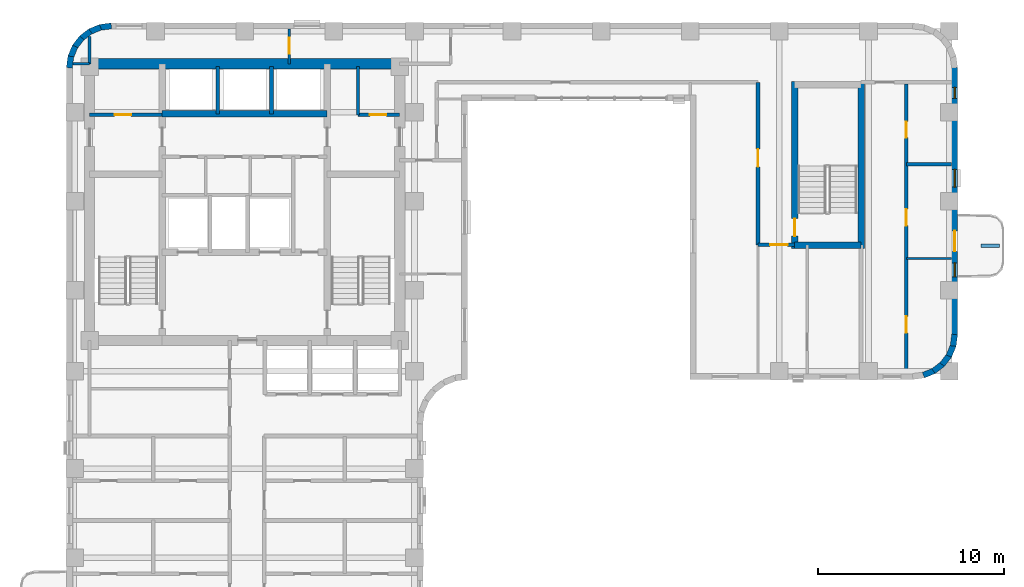
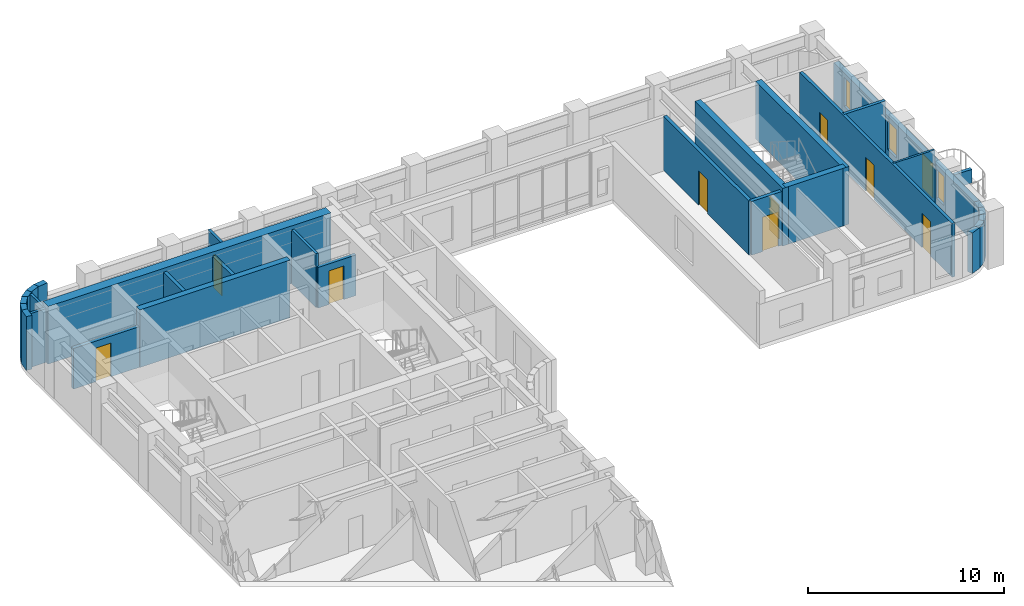
# One storey, part 7 of 11: 31 walls, 10 doors, 3 windows, 13 openings.
"""IFC4 building model written with IfcOpenShell, lengths in metres."""

from ifc_helpers import new_model, si_unit, direction, frame, frame_2d, origin, place, context, subcontext, project, spatial, rectangle, extrude, material, layer, layer_set, type_object, element, fill, save


model = new_model("IFC4")

# Units and contexts
model_context = context("Model", 3, precision=1e-05, world=origin(), true_north=direction((0.0, 1.0)))
body_context = subcontext(model_context, "Body", "Model", "MODEL_VIEW")
ifc_project = project(units=[si_unit("LENGTHUNIT", "METRE"), si_unit("AREAUNIT", "SQUARE_METRE"), si_unit("VOLUMEUNIT", "CUBIC_METRE"), si_unit("PLANEANGLEUNIT", "RADIAN"), si_unit("MASSUNIT", "GRAM", prefix="KILO")], contexts=[model_context])

# Site, building, storey
site_placement = place(None, origin())
site = spatial("IfcSite", under=ifc_project, at=site_placement, CompositionType="ELEMENT")
building_placement = place(site_placement, origin())
building = spatial("IfcBuilding", under=site, at=building_placement, Name="Orvandelia Arch Residences", CompositionType="ELEMENT")
storey_placement = place(building_placement, frame((0.0, 0.0, 172.0)))
storey = spatial("IfcBuildingStorey", under=building, at=storey_placement, Name="L45", CompositionType="ELEMENT", Elevation=172.0)

# Wall
ifc_material_1 = material(Name="Concrete C50/60", Category="concrete")
ifc_layer_1 = layer(ifc_material_1, 0.35009765625, Name="Concrete C50/60", Category="concrete")
ifc_layer_set_1 = layer_set([ifc_layer_1], Name="Concrete C50/60")
wall_type_1 = type_object("IfcWallType", Name="WL-CORE-350", PredefinedType="SHEAR", material=ifc_layer_set_1)
wall_1_placement = place(storey_placement, frame((9.9599609375, 43.10009765625, 0.0), z_axis=(0.0, 0.0, 1.0), x_axis=(1.0, 0.0, 0.0)))
element("IfcWall", 1, at=wall_1_placement, inside=storey, type_object=wall_type_1, Name="Core Shear Wall L45-HZ4", PredefinedType="SHEAR", context=body_context, shape_type="SweptSolid", body=[
    extrude(rectangle(XDim=8.880126953125, YDim=0.35009765625, at=frame_2d((4.43994140625, 0.0))), origin(), (0.0, 0.0, 1.0), 3.60009765625),
])

# Wall, opening, door
wall_2_placement = place(storey_placement, frame((44.02001953125, 35.864990234375, 0.0), z_axis=(0.0, 0.0, 1.0), x_axis=(0.0, 1.0, 0.0)))
wall_2 = element("IfcWall", 2, at=wall_2_placement, inside=storey, type_object=wall_type_1, Name="East Stair Core Shear Wall L45-W", PredefinedType="SHEAR", context=body_context, shape_type="SweptSolid", body=[
    extrude(rectangle(XDim=8.969970703125, YDim=0.35009765625, at=frame_2d((4.48486328125, 0.0))), origin(), (0.0, 0.0, 1.0), 3.60009765625),
])
opening_1_placement = place(wall_2_placement, frame((0.64990234375, 0.0, 0.0)))
opening_1 = element("IfcOpeningElement", 3, at=opening_1_placement, cuts=wall_2, Name="Opening D7", PredefinedType="OPENING", context=body_context, shape_type="SweptSolid", body=[
    extrude(rectangle(XDim=0.949951171875, YDim=2.10009765625, at=frame_2d((0.47509765625, 1.050048828125))), frame((0.0, 0.18505859375, 0.0), z_axis=(0.0, -1.0, 0.0), x_axis=(1.0, 0.0, 0.0)), (0.0, 0.0, 1.0), 0.3701171875),
])
ifc_material_2 = material(Name="Pressurised Stairwell Fire Door")
door_type_1 = type_object("IfcDoorType", Name="DR-STAIR-950", OperationType="NOTDEFINED", PredefinedType="DOOR", material=ifc_material_2)
door_1_placement = place(opening_1_placement, origin())
door_1 = element("IfcDoor", 4, at=door_1_placement, inside=storey, type_object=door_type_1, Name="East Stairwell ST-3 Fire Door L45", OperationType="SINGLE_SWING_LEFT", OverallHeight=2.10009765625, OverallWidth=0.949951171875, PredefinedType="DOOR", context=body_context, shape_type="SweptSolid", body=[
    extrude(rectangle(XDim=0.949951171875, YDim=2.10009765625, at=frame_2d((0.47509765625, 1.050048828125))), frame((0.0, 0.02490234375, 0.0), z_axis=(0.0, -1.0, 0.0), x_axis=(1.0, 0.0, 0.0)), (0.0, 0.0, 1.0), 0.050048828125),
])
fill(opening_1, door_1)

# Walls
wall_3_placement = place(storey_placement, frame((47.60009765625, 35.864990234375, 0.0), z_axis=(0.0, 0.0, 1.0), x_axis=(0.0, 1.0, 0.0)))
element("IfcWall", 5, at=wall_3_placement, inside=storey, type_object=wall_type_1, Name="East Stair Core Shear Wall L45-E", PredefinedType="SHEAR", context=body_context, shape_type="SweptSolid", body=[
    extrude(rectangle(XDim=8.969970703125, YDim=0.35009765625, at=frame_2d((4.48486328125, 0.0))), origin(), (0.0, 0.0, 1.0), 3.60009765625),
])
wall_4_placement = place(storey_placement, frame((44.02001953125, 36.0400390625, 0.0), z_axis=(0.0, 0.0, 1.0), x_axis=(1.0, 0.0, 0.0)))
element("IfcWall", 6, at=wall_4_placement, inside=storey, type_object=wall_type_1, Name="East Stair Core Shear Wall L45-S", PredefinedType="SHEAR", context=body_context, shape_type="SweptSolid", body=[
    extrude(rectangle(XDim=3.580078125, YDim=0.35009765625, at=frame_2d((1.7900390625, 0.0))), origin(), (0.0, 0.0, 1.0), 3.60009765625),
])
ifc_material_3 = material(Name="Concrete C60/75", Category="concrete")
ifc_layer_2 = layer(ifc_material_3, 0.550048828125, Name="Concrete C60/75", Category="concrete")
ifc_layer_set_2 = layer_set([ifc_layer_2], Name="Concrete C60/75")
wall_type_2 = type_object("IfcWallType", Name="WL-CORE-550", PredefinedType="SHEAR", material=ifc_layer_set_2)
wall_5_placement = place(storey_placement, frame((6.050048828125, 45.800048828125, 0.0), z_axis=(0.0, 0.0, 1.0), x_axis=(1.0, 0.0, 0.0)))
element("IfcWall", 7, at=wall_5_placement, inside=storey, type_object=wall_type_2, Name="Core Shear Wall L45-N", PredefinedType="SHEAR", context=body_context, shape_type="SweptSolid", body=[
    extrude(rectangle(XDim=16.699951171875, YDim=0.550048828125, at=frame_2d((8.35009765625, 0.0))), origin(), (0.0, 0.0, 1.0), 3.60009765625),
])

# Wall, opening, door
ifc_material_4 = material(Name="Fire-Rated Corridor Partition")
ifc_layer_3 = layer(ifc_material_4, 0.199951171875, Name="Fire-Rated Corridor Partition")
ifc_layer_set_3 = layer_set([ifc_layer_3], Name="Fire-Rated Corridor Partition")
wall_type_3 = type_object("IfcWallType", Name="WL-CORR-200", PredefinedType="PARTITIONING", material=ifc_layer_set_3)
wall_6_placement = place(storey_placement, frame((42.050048828125, 36.050048828125, 0.0), z_axis=(0.0, 0.0, 1.0), x_axis=(0.0, 1.0, 0.0)))
wall_6 = element("IfcWall", 8, at=wall_6_placement, inside=storey, type_object=wall_type_3, Name="Interior Partition Wall WL-L45-ENP-SW", PredefinedType="PARTITIONING", context=body_context, shape_type="SweptSolid", body=[
    extrude(rectangle(XDim=8.75, YDim=0.199951171875, at=frame_2d((4.375, 0.0))), origin(), (0.0, 0.0, 1.0), 3.360107421875),
])
opening_2_placement = place(wall_6_placement, frame((4.199951171875, 0.0, 0.0)))
opening_2 = element("IfcOpeningElement", 9, at=opening_2_placement, cuts=wall_6, Name="Opening D2", PredefinedType="OPENING", context=body_context, shape_type="SweptSolid", body=[
    extrude(rectangle(XDim=0.949951171875, YDim=2.14990234375, at=frame_2d((0.47509765625, 1.074951171875))), frame((0.0, 0.10986328125, 0.0), z_axis=(0.0, -1.0, 0.0), x_axis=(1.0, 0.0, 0.0)), (0.0, 0.0, 1.0), 0.219970703125),
])
ifc_material_5 = material(Name="Solid-Core Timber Interior Fire Door", Category="wood")
door_type_2 = type_object("IfcDoorType", Name="DR-APT-950", OperationType="NOTDEFINED", PredefinedType="DOOR", material=ifc_material_5)
door_2_placement = place(opening_2_placement, origin())
door_2 = element("IfcDoor", 10, at=door_2_placement, inside=storey, type_object=door_type_2, Name="DR-L45-VPE1", OperationType="SINGLE_SWING_LEFT", OverallHeight=2.14990234375, OverallWidth=0.949951171875, PredefinedType="DOOR", context=body_context, shape_type="SweptSolid", body=[
    extrude(rectangle(XDim=0.949951171875, YDim=2.14990234375, at=frame_2d((0.47509765625, 1.074951171875))), frame((0.0, 0.02490234375, 0.0), z_axis=(0.0, -1.0, 0.0), x_axis=(1.0, 0.0, 0.0)), (0.0, 0.0, 1.0), 0.050048828125),
])
fill(opening_2, door_2)

wall_7_placement = place(storey_placement, frame((42.050048828125, 36.050048828125, 0.0), z_axis=(0.0, 0.0, 1.0), x_axis=(1.0, 0.0, 0.0)))
wall_7 = element("IfcWall", 11, at=wall_7_placement, inside=storey, type_object=wall_type_3, Name="Interior Partition Wall WL-L45-ENP-SS", PredefinedType="PARTITIONING", context=body_context, shape_type="SweptSolid", body=[
    extrude(rectangle(XDim=1.969970703125, YDim=0.199951171875, at=frame_2d((0.98486328125, 0.0))), origin(), (0.0, 0.0, 1.0), 3.360107421875),
])
opening_3_placement = place(wall_7_placement, frame((0.64990234375, 0.0, 0.0)))
opening_3 = element("IfcOpeningElement", 12, at=opening_3_placement, cuts=wall_7, Name="Opening D2", PredefinedType="OPENING", context=body_context, shape_type="SweptSolid", body=[
    extrude(rectangle(XDim=0.949951171875, YDim=2.14990234375, at=frame_2d((0.47509765625, 1.074951171875))), frame((0.0, 0.10986328125, 0.0), z_axis=(0.0, -1.0, 0.0), x_axis=(1.0, 0.0, 0.0)), (0.0, 0.0, 1.0), 0.219970703125),
])
door_3_placement = place(opening_3_placement, origin())
door_3 = element("IfcDoor", 13, at=door_3_placement, inside=storey, type_object=door_type_2, Name="DR-L45-VPS3A", OperationType="SINGLE_SWING_LEFT", OverallHeight=2.14990234375, OverallWidth=0.949951171875, PredefinedType="DOOR", context=body_context, shape_type="SweptSolid", body=[
    extrude(rectangle(XDim=0.949951171875, YDim=2.14990234375, at=frame_2d((0.47509765625, 1.074951171875))), frame((0.0, 0.02490234375, 0.0), z_axis=(0.0, -1.0, 0.0), x_axis=(1.0, 0.0, 0.0)), (0.0, 0.0, 1.0), 0.050048828125),
])
fill(opening_3, door_3)

# Walls
ifc_material_6 = material(Name="Precast concrete C40/50", Category="concrete")
ifc_layer_4 = layer(ifc_material_6, 0.320068359375, Name="Precast concrete C40/50", Category="concrete")
ifc_layer_set_4 = layer_set([ifc_layer_4], Name="Precast concrete C40/50")
wall_type_4 = type_object("IfcWallType", Name="WL-EXT-STONE-320", PredefinedType="STANDARD", material=ifc_layer_set_4)
for number, where, z_axis, x_axis, name in (
    (14, (4.95849609375, 45.5791015625, 0.0), (0.0, 0.0, 1.0), (0.130555323746, 0.9914410257, 0.0), "Coral-Limestone Precast Facade Wall L45-001"),
    (15, (5.029541015625, 46.159912109375, 0.0), (0.0, 0.0, 1.0), (0.382650053678, 0.92389335771, 0.0), "Coral-Limestone Precast Facade Wall L45-002"),
):
    element("IfcWall", number, at=place(storey_placement, frame(where, z_axis=z_axis, x_axis=x_axis)), inside=storey, type_object=wall_type_4, Name=name, PredefinedType="STANDARD", context=body_context, shape_type="SweptSolid", body=[
        extrude(rectangle(XDim=0.62646484375, YDim=0.320068359375, at=frame_2d((0.313232421875, 0.0))), origin(), (0.0, 0.0, 1.0), 3.360107421875),
    ])
wall_8_placement = place(storey_placement, frame((5.248291015625, 46.70263671875, 0.0), z_axis=(0.0, 0.0, 1.0), x_axis=(0.608938521285, 0.7932174212, 0.0)))
element("IfcWall", 16, at=wall_8_placement, inside=storey, type_object=wall_type_4, Name="Coral-Limestone Precast Facade Wall L45-003", PredefinedType="STANDARD", context=body_context, shape_type="SweptSolid", body=[
    extrude(rectangle(XDim=0.626708984375, YDim=0.320068359375, at=frame_2d((0.3134765625, 0.0))), origin(), (0.0, 0.0, 1.0), 3.360107421875),
])
wall_9_placement = place(storey_placement, frame((5.600341796875, 47.170166015625, 0.0), z_axis=(0.0, 0.0, 1.0), x_axis=(0.793405610854, 0.608693302629, 0.0)))
element("IfcWall", 17, at=wall_9_placement, inside=storey, type_object=wall_type_4, Name="Coral-Limestone Precast Facade Wall L45-004", PredefinedType="STANDARD", context=body_context, shape_type="SweptSolid", body=[
    extrude(rectangle(XDim=0.62646484375, YDim=0.320068359375, at=frame_2d((0.313232421875, 0.0))), origin(), (0.0, 0.0, 1.0), 3.360107421875),
])
wall_10_placement = place(storey_placement, frame((6.061279296875, 47.53076171875, 0.0), z_axis=(0.0, 0.0, 1.0), x_axis=(0.923836271867, 0.382787856107, 0.0)))
element("IfcWall", 18, at=wall_10_placement, inside=storey, type_object=wall_type_4, Name="Coral-Limestone Precast Facade Wall L45-005", PredefinedType="STANDARD", context=body_context, shape_type="SweptSolid", body=[
    extrude(rectangle(XDim=0.626220703125, YDim=0.320068359375, at=frame_2d((0.31298828125, 0.0))), origin(), (0.0, 0.0, 1.0), 3.360107421875),
])
wall_11_placement = place(storey_placement, frame((6.599609375, 47.759521484375, 0.0), z_axis=(0.0, 0.0, 1.0), x_axis=(0.991447664465, 0.130504898859, 0.0)))
element("IfcWall", 19, at=wall_11_placement, inside=storey, type_object=wall_type_4, Name="Coral-Limestone Precast Facade Wall L45-006", PredefinedType="STANDARD", context=body_context, shape_type="SweptSolid", body=[
    extrude(rectangle(XDim=0.626708984375, YDim=0.320068359375, at=frame_2d((0.3134765625, 0.0))), origin(), (0.0, 0.0, 1.0), 3.360107421875),
])

# Wall, openings, door, windows
wall_12_placement = place(storey_placement, frame((52.639892578125, 45.60009765625, 0.0), z_axis=(0.0, 0.0, 1.0), x_axis=(0.0, -1.0, 0.0)))
wall_12 = element("IfcWall", 20, at=wall_12_placement, inside=storey, type_object=wall_type_4, Name="Coral-Limestone Precast Facade Wall L45-014", PredefinedType="STANDARD", context=body_context, shape_type="SweptSolid", body=[
    extrude(rectangle(XDim=14.400146484375, YDim=0.320068359375, at=frame_2d((7.2001953125, 0.0))), origin(), (0.0, 0.0, 1.0), 2.5400390625),
])
opening_4_placement = place(wall_12_placement, frame((8.800048828125, 0.0, 0.0)))
opening_4 = element("IfcOpeningElement", 21, at=opening_4_placement, cuts=wall_12, Name="Opening BD1", PredefinedType="OPENING", context=body_context, shape_type="SweptSolid", body=[
    extrude(rectangle(XDim=1.10009765625, YDim=2.14990234375, at=frame_2d((0.550048828125, 1.074951171875))), frame((0.0, 0.169921875, 0.0), z_axis=(0.0, -1.0, 0.0), x_axis=(1.0, 0.0, 0.0)), (0.0, 0.0, 1.0), 0.340087890625),
])
opening_5_placement = place(wall_12_placement, frame((10.51953125, 0.0, 0.449951171875)))
opening_5 = element("IfcOpeningElement", 22, at=opening_5_placement, cuts=wall_12, Name="Opening W11", PredefinedType="OPENING", context=body_context, shape_type="SweptSolid", body=[
    extrude(rectangle(XDim=0.75, YDim=1.800048828125, at=frame_2d((0.375, 0.89990234375))), frame((0.0, 0.169921875, 0.0), z_axis=(0.0, -1.0, 0.0), x_axis=(1.0, 0.0, 0.0)), (0.0, 0.0, 1.0), 0.340087890625),
])
opening_6_placement = place(wall_12_placement, frame((1.0625, 0.0, 0.449951171875)))
opening_6 = element("IfcOpeningElement", 23, at=opening_6_placement, cuts=wall_12, Name="Opening W12", PredefinedType="OPENING", context=body_context, shape_type="SweptSolid", body=[
    extrude(rectangle(XDim=0.60009765625, YDim=1.800048828125, at=frame_2d((0.300048828125, 0.89990234375))), frame((0.0, 0.169921875, 0.0), z_axis=(0.0, -1.0, 0.0), x_axis=(1.0, 0.0, 0.0)), (0.0, 0.0, 1.0), 0.340087890625),
])
opening_7_placement = place(wall_12_placement, frame((5.486083984375, 0.0, 0.449951171875)))
opening_7 = element("IfcOpeningElement", 24, at=opening_7_placement, cuts=wall_12, Name="Opening W4", PredefinedType="OPENING", context=body_context, shape_type="SweptSolid", body=[
    extrude(rectangle(XDim=0.949951171875, YDim=1.800048828125, at=frame_2d((0.47509765625, 0.89990234375))), frame((0.0, 0.169921875, 0.0), z_axis=(0.0, -1.0, 0.0), x_axis=(1.0, 0.0, 0.0)), (0.0, 0.0, 1.0), 0.340087890625),
])
ifc_material_7 = material(Name="Thermally Broken Aluminium Glazed Door", Category="aluminium")
door_type_3 = type_object("IfcDoorType", Name="DR-BAL-GLAZ-1100", OperationType="NOTDEFINED", PredefinedType="DOOR", material=ifc_material_7)
door_4_placement = place(opening_4_placement, origin())
door_4 = element("IfcDoor", 25, at=door_4_placement, inside=storey, type_object=door_type_3, Name="Tree Balcony Glazed Door BAL-L45-E1", OperationType="SINGLE_SWING_LEFT", OverallHeight=2.14990234375, OverallWidth=1.10009765625, PredefinedType="DOOR", context=body_context, shape_type="SweptSolid", body=[
    extrude(rectangle(XDim=1.10009765625, YDim=2.14990234375, at=frame_2d((0.550048828125, 1.074951171875))), frame((0.0, 0.02490234375, 0.0), z_axis=(0.0, -1.0, 0.0), x_axis=(1.0, 0.0, 0.0)), (0.0, 0.0, 1.0), 0.050048828125),
])
fill(opening_4, door_4)
ifc_material_8 = material(Name="Tempered Low-E Insulated Glazing", Category="glass")
window_type_1 = type_object("IfcWindowType", Name="WIN-BED-0750x1800", PartitioningType="SINGLE_PANEL", PredefinedType="WINDOW", material=ifc_material_8)
window_1_placement = place(opening_5_placement, origin())
window_1 = element("IfcWindow", 26, at=window_1_placement, inside=storey, type_object=window_type_1, Name="Recessed Punched Window L45-004", OverallHeight=1.800048828125, OverallWidth=0.75, PartitioningType="SINGLE_PANEL", PredefinedType="WINDOW", context=body_context, shape_type="SweptSolid", body=[
    extrude(rectangle(XDim=0.75, YDim=1.800048828125, at=frame_2d((0.375, 0.89990234375))), frame((0.0, 0.030029296875, 0.0), z_axis=(0.0, -1.0, 0.0), x_axis=(1.0, 0.0, 0.0)), (0.0, 0.0, 1.0), 0.06005859375),
])
fill(opening_5, window_1)
window_type_2 = type_object("IfcWindowType", Name="WIN-LAN-0600x1800", PartitioningType="SINGLE_PANEL", PredefinedType="WINDOW", material=ifc_material_8)
window_2_placement = place(opening_6_placement, origin())
window_2 = element("IfcWindow", 27, at=window_2_placement, inside=storey, type_object=window_type_2, Name="Recessed Punched Window L45-005", OverallHeight=1.800048828125, OverallWidth=0.60009765625, PartitioningType="SINGLE_PANEL", PredefinedType="WINDOW", context=body_context, shape_type="SweptSolid", body=[
    extrude(rectangle(XDim=0.60009765625, YDim=1.800048828125, at=frame_2d((0.300048828125, 0.89990234375))), frame((0.0, 0.030029296875, 0.0), z_axis=(0.0, -1.0, 0.0), x_axis=(1.0, 0.0, 0.0)), (0.0, 0.0, 1.0), 0.06005859375),
])
fill(opening_6, window_2)
window_type_3 = type_object("IfcWindowType", Name="WIN-RES-0950x1800", PartitioningType="SINGLE_PANEL", PredefinedType="WINDOW", material=ifc_material_8)
window_3_placement = place(opening_7_placement, origin())
window_3 = element("IfcWindow", 28, at=window_3_placement, inside=storey, type_object=window_type_3, Name="Recessed Punched Window L45-006", OverallHeight=1.800048828125, OverallWidth=0.949951171875, PartitioningType="SINGLE_PANEL", PredefinedType="WINDOW", context=body_context, shape_type="SweptSolid", body=[
    extrude(rectangle(XDim=0.949951171875, YDim=1.800048828125, at=frame_2d((0.47509765625, 0.89990234375))), frame((0.0, 0.030029296875, 0.0), z_axis=(0.0, -1.0, 0.0), x_axis=(1.0, 0.0, 0.0)), (0.0, 0.0, 1.0), 0.06005859375),
])
fill(opening_7, window_3)

# Walls
wall_13_placement = place(storey_placement, frame((52.641357421875, 31.220947265625, 0.0), z_axis=(0.0, 0.0, 1.0), x_axis=(-0.130504898859, -0.991447664465, 0.0)))
element("IfcWall", 29, at=wall_13_placement, inside=storey, type_object=wall_type_4, Name="Coral-Limestone Precast Facade Wall L45-015", PredefinedType="STANDARD", context=body_context, shape_type="SweptSolid", body=[
    extrude(rectangle(XDim=0.626708984375, YDim=0.320068359375, at=frame_2d((0.3134765625, 0.0))), origin(), (0.0, 0.0, 1.0), 2.5400390625),
])
wall_14_placement = place(storey_placement, frame((52.5703125, 30.639892578125, 0.0), z_axis=(0.0, 0.0, 1.0), x_axis=(-0.382455093999, -0.923974080304, 0.0)))
element("IfcWall", 30, at=wall_14_placement, inside=storey, type_object=wall_type_4, Name="Coral-Limestone Precast Facade Wall L45-016", PredefinedType="STANDARD", context=body_context, shape_type="SweptSolid", body=[
    extrude(rectangle(XDim=0.626220703125, YDim=0.320068359375, at=frame_2d((0.31298828125, 0.0))), origin(), (0.0, 0.0, 1.0), 2.5400390625),
])
wall_15_placement = place(storey_placement, frame((52.3515625, 30.097412109375, 0.0), z_axis=(0.0, 0.0, 1.0), x_axis=(-0.608693302629, -0.793405610854, 0.0)))
element("IfcWall", 31, at=wall_15_placement, inside=storey, type_object=wall_type_4, Name="Coral-Limestone Precast Facade Wall L45-017", PredefinedType="STANDARD", context=body_context, shape_type="SweptSolid", body=[
    extrude(rectangle(XDim=0.62646484375, YDim=0.320068359375, at=frame_2d((0.313232421875, 0.0))), origin(), (0.0, 0.0, 1.0), 2.5400390625),
])
wall_16_placement = place(storey_placement, frame((51.999755859375, 29.6298828125, 0.0), z_axis=(0.0, 0.0, 1.0), x_axis=(-0.7932174212, -0.608938521285, 0.0)))
element("IfcWall", 32, at=wall_16_placement, inside=storey, type_object=wall_type_4, Name="Coral-Limestone Precast Facade Wall L45-018", PredefinedType="STANDARD", context=body_context, shape_type="SweptSolid", body=[
    extrude(rectangle(XDim=0.626708984375, YDim=0.320068359375, at=frame_2d((0.3134765625, 0.0))), origin(), (0.0, 0.0, 1.0), 2.5400390625),
])
wall_17_placement = place(storey_placement, frame((51.538818359375, 29.269287109375, 0.0), z_axis=(0.0, 0.0, 1.0), x_axis=(-0.92389335771, -0.382650053678, 0.0)))
element("IfcWall", 33, at=wall_17_placement, inside=storey, type_object=wall_type_4, Name="Coral-Limestone Precast Facade Wall L45-019", PredefinedType="STANDARD", context=body_context, shape_type="SweptSolid", body=[
    extrude(rectangle(XDim=0.62646484375, YDim=0.320068359375, at=frame_2d((0.313232421875, 0.0))), origin(), (0.0, 0.0, 1.0), 2.5400390625),
])
ifc_material_9 = material(Name="Lightweight Gypsum Stud Partition")
ifc_layer_5 = layer(ifc_material_9, 0.1201171875, Name="Lightweight Gypsum Stud Partition")
ifc_layer_set_5 = layer_set([ifc_layer_5], Name="Lightweight Gypsum Stud Partition")
wall_type_5 = type_object("IfcWallType", Name="WL-PART-120", PredefinedType="PARTITIONING", material=ifc_layer_set_5)
wall_18_placement = place(storey_placement, frame((50.04296875, 35.31591796875, 0.0), z_axis=(0.0, 0.0, 1.0), x_axis=(1.0, 0.0, 0.0)))
element("IfcWall", 34, at=wall_18_placement, inside=storey, type_object=wall_type_5, Name="Interior Partition Wall WL-L45-U07-H1", PredefinedType="PARTITIONING", context=body_context, shape_type="SweptSolid", body=[
    extrude(rectangle(XDim=2.43701171875, YDim=0.1201171875, at=frame_2d((1.218505859375, 0.0))), origin(), (0.0, 0.0, 1.0), 3.360107421875),
])
ifc_material_10 = material(Name="Acoustic Gypsum Stud Partition")
ifc_layer_6 = layer(ifc_material_10, 0.14990234375, Name="Acoustic Gypsum Stud Partition")
ifc_layer_set_6 = layer_set([ifc_layer_6], Name="Acoustic Gypsum Stud Partition")
wall_type_6 = type_object("IfcWallType", Name="WL-PART-150", PredefinedType="PARTITIONING", material=ifc_layer_set_6)
wall_19_placement = place(storey_placement, frame((20.5, 43.050048828125, 0.0), z_axis=(0.0, 0.0, 1.0), x_axis=(0.0, 1.0, 0.0)))
element("IfcWall", 35, at=wall_19_placement, inside=storey, type_object=wall_type_6, Name="Interior Partition Wall WL-L45-CSB-2W", PredefinedType="PARTITIONING", context=body_context, shape_type="SweptSolid", body=[
    extrude(rectangle(XDim=2.599853515625, YDim=0.14990234375, at=frame_2d((1.2998046875, 0.0))), origin(), (0.0, 0.0, 1.0), 3.360107421875),
])
wall_20_placement = place(storey_placement, frame((5.159912109375, 45.800048828125, 0.0), z_axis=(0.0, 0.0, 1.0), x_axis=(1.0, 0.0, 0.0)))
element("IfcWall", 36, at=wall_20_placement, inside=storey, type_object=wall_type_6, Name="Interior Partition Wall WL-L45-WF-N", PredefinedType="PARTITIONING", context=body_context, shape_type="SweptSolid", body=[
    extrude(rectangle(XDim=0.89013671875, YDim=0.14990234375, at=frame_2d((0.445068359375, 0.0))), origin(), (0.0, 0.0, 1.0), 3.360107421875),
])
wall_21_placement = place(storey_placement, frame((6.050048828125, 45.800048828125, 0.0), z_axis=(0.0, 0.0, 1.0), x_axis=(0.0, 1.0, 0.0)))
element("IfcWall", 37, at=wall_21_placement, inside=storey, type_object=wall_type_6, Name="Interior Partition Wall WL-L45-NC-W6", PredefinedType="PARTITIONING", context=body_context, shape_type="SweptSolid", body=[
    extrude(rectangle(XDim=1.4599609375, YDim=0.14990234375, at=frame_2d((0.72998046875, 0.0))), origin(), (0.0, 0.0, 1.0), 3.360107421875),
])

# Wall, opening, door
wall_22_placement = place(storey_placement, frame((16.800048828125, 45.800048828125, 0.0), z_axis=(0.0, 0.0, 1.0), x_axis=(0.0, 1.0, 0.0)))
wall_22 = element("IfcWall", 38, at=wall_22_placement, inside=storey, type_object=wall_type_6, Name="Interior Partition Wall WL-L45-NC-M", PredefinedType="PARTITIONING", context=body_context, shape_type="SweptSolid", body=[
    extrude(rectangle(XDim=1.8798828125, YDim=0.14990234375, at=frame_2d((0.93994140625, 0.0))), origin(), (0.0, 0.0, 1.0), 3.360107421875),
])
opening_8_placement = place(wall_22_placement, frame((0.550048828125, 0.0, 0.0)))
opening_8 = element("IfcOpeningElement", 39, at=opening_8_placement, cuts=wall_22, Name="Opening D4", PredefinedType="OPENING", context=body_context, shape_type="SweptSolid", body=[
    extrude(rectangle(XDim=0.860107421875, YDim=2.10009765625, at=frame_2d((0.43017578125, 1.050048828125))), frame((0.0, 0.0849609375, 0.0), z_axis=(0.0, -1.0, 0.0), x_axis=(1.0, 0.0, 0.0)), (0.0, 0.0, 1.0), 0.169921875),
])
ifc_material_11 = material(Name="Moisture-Sealed Timber Bathroom Door", Category="wood")
door_type_4 = type_object("IfcDoorType", Name="DR-WET-900", OperationType="NOTDEFINED", PredefinedType="DOOR", material=ifc_material_11)
door_5_placement = place(opening_8_placement, origin())
door_5 = element("IfcDoor", 40, at=door_5_placement, inside=storey, type_object=door_type_4, Name="DR-L45-NCS1", OperationType="SINGLE_SWING_LEFT", OverallHeight=2.10009765625, OverallWidth=0.860107421875, PredefinedType="DOOR", context=body_context, shape_type="SweptSolid", body=[
    extrude(rectangle(XDim=0.860107421875, YDim=2.10009765625, at=frame_2d((0.43017578125, 1.050048828125))), frame((0.0, 0.02490234375, 0.0), z_axis=(0.0, -1.0, 0.0), x_axis=(1.0, 0.0, 0.0)), (0.0, 0.0, 1.0), 0.050048828125),
])
fill(opening_8, door_5)

# Wall
ifc_layer_7 = layer(ifc_material_6, 0.199951171875, Name="Precast concrete C40/50", Category="concrete")
ifc_layer_set_7 = layer_set([ifc_layer_7], Name="Precast concrete C40/50")
wall_type_7 = type_object("IfcWallType", Name="WL-PLANTER-200", PredefinedType="MOVABLE", material=ifc_layer_set_7)
wall_23_placement = place(storey_placement, frame((54.050048828125, 36.0, 0.0), z_axis=(0.0, 0.0, 1.0), x_axis=(1.0, 0.0, 0.0)))
element("IfcWall", 41, at=wall_23_placement, inside=storey, type_object=wall_type_7, Name="Balcony Precast Tree Planter BAL-L45-E1", PredefinedType="MOVABLE", context=body_context, shape_type="SweptSolid", body=[
    extrude(rectangle(XDim=1.0, YDim=0.199951171875, at=frame_2d((0.5, 0.0))), origin(), (0.0, 0.0, 1.0), 0.85009765625),
])

# Wall, opening, door
ifc_material_12 = material(Name="Fire-Rated Shaft Enclosure Wall")
ifc_layer_8 = layer(ifc_material_12, 0.199951171875, Name="Fire-Rated Shaft Enclosure Wall")
ifc_layer_set_8 = layer_set([ifc_layer_8], Name="Fire-Rated Shaft Enclosure Wall")
wall_type_8 = type_object("IfcWallType", Name="WL-SHAFT-200", PredefinedType="POLYGONAL", material=ifc_layer_set_8)
wall_24_placement = place(storey_placement, frame((20.5, 43.050048828125, 0.0), z_axis=(0.0, 0.0, 1.0), x_axis=(1.0, 0.0, 0.0)))
wall_24 = element("IfcWall", 42, at=wall_24_placement, inside=storey, type_object=wall_type_8, Name="Interior Partition Wall WL-L45-HLE-N", PredefinedType="POLYGONAL", context=body_context, shape_type="SweptSolid", body=[
    extrude(rectangle(XDim=2.25, YDim=0.199951171875, at=frame_2d((1.125, 0.0))), origin(), (0.0, 0.0, 1.0), 2.5400390625),
])
opening_9_placement = place(wall_24_placement, frame((0.64990234375, 0.0, 0.0)))
opening_9 = element("IfcOpeningElement", 43, at=opening_9_placement, cuts=wall_24, Name="Opening D5", PredefinedType="OPENING", context=body_context, shape_type="SweptSolid", body=[
    extrude(rectangle(XDim=0.8798828125, YDim=2.10009765625, at=frame_2d((0.43994140625, 1.050048828125))), frame((0.0, 0.10986328125, 0.0), z_axis=(0.0, -1.0, 0.0), x_axis=(1.0, 0.0, 0.0)), (0.0, 0.0, 1.0), 0.219970703125),
])
ifc_material_13 = material(Name="Painted Galvanised Steel Service Door", Category="steel")
door_type_5 = type_object("IfcDoorType", Name="DR-SRV-880", OperationType="NOTDEFINED", PredefinedType="DOOR", material=ifc_material_13)
door_6_placement = place(opening_9_placement, origin())
door_6 = element("IfcDoor", 44, at=door_6_placement, inside=storey, type_object=door_type_5, Name="DR-L45-CSB1", OperationType="SINGLE_SWING_RIGHT", OverallHeight=2.10009765625, OverallWidth=0.8798828125, PredefinedType="DOOR", context=body_context, shape_type="SweptSolid", body=[
    extrude(rectangle(XDim=0.8798828125, YDim=2.10009765625, at=frame_2d((0.43994140625, 1.050048828125))), frame((0.0, 0.02490234375, 0.0), z_axis=(0.0, -1.0, 0.0), x_axis=(1.0, 0.0, 0.0)), (0.0, 0.0, 1.0), 0.050048828125),
])
fill(opening_9, door_6)

wall_25_placement = place(storey_placement, frame((6.050048828125, 43.050048828125, 0.0), z_axis=(0.0, 0.0, 1.0), x_axis=(1.0, 0.0, 0.0)))
wall_25 = element("IfcWall", 45, at=wall_25_placement, inside=storey, type_object=wall_type_8, Name="Interior Partition Wall WL-L45-HLW-N", PredefinedType="POLYGONAL", context=body_context, shape_type="SweptSolid", body=[
    extrude(rectangle(XDim=3.909912109375, YDim=0.199951171875, at=frame_2d((1.955078125, 0.0))), origin(), (0.0, 0.0, 1.0), 2.5400390625),
])
opening_10_placement = place(wall_25_placement, frame((1.35009765625, 0.0, 0.0)))
opening_10 = element("IfcOpeningElement", 46, at=opening_10_placement, cuts=wall_25, Name="Opening D5", PredefinedType="OPENING", context=body_context, shape_type="SweptSolid", body=[
    extrude(rectangle(XDim=0.8798828125, YDim=2.10009765625, at=frame_2d((0.43994140625, 1.050048828125))), frame((0.0, 0.10986328125, 0.0), z_axis=(0.0, -1.0, 0.0), x_axis=(1.0, 0.0, 0.0)), (0.0, 0.0, 1.0), 0.219970703125),
])
door_7_placement = place(opening_10_placement, origin())
door_7 = element("IfcDoor", 47, at=door_7_placement, inside=storey, type_object=door_type_5, Name="Riser Service Door L45", OperationType="SINGLE_SWING_RIGHT", OverallHeight=2.10009765625, OverallWidth=0.8798828125, PredefinedType="DOOR", context=body_context, shape_type="SweptSolid", body=[
    extrude(rectangle(XDim=0.8798828125, YDim=2.10009765625, at=frame_2d((0.43994140625, 1.050048828125))), frame((0.0, 0.02490234375, 0.0), z_axis=(0.0, -1.0, 0.0), x_axis=(1.0, 0.0, 0.0)), (0.0, 0.0, 1.0), 0.050048828125),
])
fill(opening_10, door_7)

# Walls
for number, where, z_axis, x_axis, name in (
    (48, (12.949951171875, 43.10009765625, 0.0), (0.0, 0.0, 1.0), (0.0, 1.0, 0.0), "Interior Partition Wall WL-L45-PHD1"),
    (49, (15.85009765625, 43.10009765625, 0.0), (0.0, 0.0, 1.0), (0.0, 1.0, 0.0), "Interior Partition Wall WL-L45-PHD2"),
):
    element("IfcWall", number, at=place(storey_placement, frame(where, z_axis=z_axis, x_axis=x_axis)), inside=storey, type_object=wall_type_8, Name=name, PredefinedType="POLYGONAL", context=body_context, shape_type="SweptSolid", body=[
        extrude(rectangle(XDim=2.5498046875, YDim=0.199951171875, at=frame_2d((1.27490234375, 0.0))), origin(), (0.0, 0.0, 1.0), 3.360107421875),
    ])

# Wall, openings, doors
ifc_material_14 = material(Name="Moisture-Resistant Plumbing Wall")
ifc_layer_9 = layer(ifc_material_14, 0.179931640625, Name="Moisture-Resistant Plumbing Wall")
ifc_layer_set_9 = layer_set([ifc_layer_9], Name="Moisture-Resistant Plumbing Wall")
wall_type_9 = type_object("IfcWallType", Name="WL-WET-180", PredefinedType="PLUMBINGWALL", material=ifc_layer_set_9)
wall_26_placement = place(storey_placement, frame((50.04296875, 29.1201171875, 0.0), z_axis=(0.0, 0.0, 1.0), x_axis=(0.0, 1.0, 0.0)))
wall_26 = element("IfcWall", 50, at=wall_26_placement, inside=storey, type_object=wall_type_9, Name="Interior Partition Wall WL-L45-U07-VT", PredefinedType="PLUMBINGWALL", context=body_context, shape_type="SweptSolid", body=[
    extrude(rectangle(XDim=15.579833984375, YDim=0.179931640625, at=frame_2d((7.7900390625, 0.0))), origin(), (0.0, 0.0, 1.0), 3.360107421875),
])
opening_11_placement = place(wall_26_placement, frame((2.1826171875, 0.0, 0.0)))
opening_11 = element("IfcOpeningElement", 51, at=opening_11_placement, cuts=wall_26, Name="Opening D3", PredefinedType="OPENING", context=body_context, shape_type="SweptSolid", body=[
    extrude(rectangle(XDim=0.89990234375, YDim=2.14990234375, at=frame_2d((0.449951171875, 1.074951171875))), frame((0.0, 0.10009765625, 0.0), z_axis=(0.0, -1.0, 0.0), x_axis=(1.0, 0.0, 0.0)), (0.0, 0.0, 1.0), 0.199951171875),
])
opening_12_placement = place(wall_26_placement, frame((7.958740234375, 0.0, 0.0)))
opening_12 = element("IfcOpeningElement", 52, at=opening_12_placement, cuts=wall_26, Name="Opening D3", PredefinedType="OPENING", context=body_context, shape_type="SweptSolid", body=[
    extrude(rectangle(XDim=0.89990234375, YDim=2.14990234375, at=frame_2d((0.449951171875, 1.074951171875))), frame((0.0, 0.10009765625, 0.0), z_axis=(0.0, -1.0, 0.0), x_axis=(1.0, 0.0, 0.0)), (0.0, 0.0, 1.0), 0.199951171875),
])
opening_13_placement = place(wall_26_placement, frame((12.710693359375, 0.0, 0.0)))
opening_13 = element("IfcOpeningElement", 53, at=opening_13_placement, cuts=wall_26, Name="Opening D4", PredefinedType="OPENING", context=body_context, shape_type="SweptSolid", body=[
    extrude(rectangle(XDim=0.860107421875, YDim=2.10009765625, at=frame_2d((0.43017578125, 1.050048828125))), frame((0.0, 0.10009765625, 0.0), z_axis=(0.0, -1.0, 0.0), x_axis=(1.0, 0.0, 0.0)), (0.0, 0.0, 1.0), 0.199951171875),
])
ifc_material_15 = material(Name="Engineered Timber Flush Door", Category="wood")
door_type_6 = type_object("IfcDoorType", Name="DR-INT-900", OperationType="NOTDEFINED", PredefinedType="DOOR", material=ifc_material_15)
door_8_placement = place(opening_11_placement, origin())
door_8 = element("IfcDoor", 54, at=door_8_placement, inside=storey, type_object=door_type_6, Name="DR-L45-U07-BD1", OperationType="SINGLE_SWING_LEFT", OverallHeight=2.14990234375, OverallWidth=0.89990234375, PredefinedType="DOOR", context=body_context, shape_type="SweptSolid", body=[
    extrude(rectangle(XDim=0.89990234375, YDim=2.14990234375, at=frame_2d((0.449951171875, 1.074951171875))), frame((0.0, 0.02490234375, 0.0), z_axis=(0.0, -1.0, 0.0), x_axis=(1.0, 0.0, 0.0)), (0.0, 0.0, 1.0), 0.050048828125),
])
fill(opening_11, door_8)
door_9_placement = place(opening_12_placement, origin())
door_9 = element("IfcDoor", 55, at=door_9_placement, inside=storey, type_object=door_type_6, Name="DR-L45-U07-KIT", OperationType="SINGLE_SWING_RIGHT", OverallHeight=2.14990234375, OverallWidth=0.89990234375, PredefinedType="DOOR", context=body_context, shape_type="SweptSolid", body=[
    extrude(rectangle(XDim=0.89990234375, YDim=2.14990234375, at=frame_2d((0.449951171875, 1.074951171875))), frame((0.0, 0.02490234375, 0.0), z_axis=(0.0, -1.0, 0.0), x_axis=(1.0, 0.0, 0.0)), (0.0, 0.0, 1.0), 0.050048828125),
])
fill(opening_12, door_9)
door_10_placement = place(opening_13_placement, origin())
door_10 = element("IfcDoor", 56, at=door_10_placement, inside=storey, type_object=door_type_4, Name="DR-L45-U07-BTH", OperationType="SINGLE_SWING_LEFT", OverallHeight=2.10009765625, OverallWidth=0.860107421875, PredefinedType="DOOR", context=body_context, shape_type="SweptSolid", body=[
    extrude(rectangle(XDim=0.860107421875, YDim=2.10009765625, at=frame_2d((0.43017578125, 1.050048828125))), frame((0.0, 0.02490234375, 0.0), z_axis=(0.0, -1.0, 0.0), x_axis=(1.0, 0.0, 0.0)), (0.0, 0.0, 1.0), 0.050048828125),
])
fill(opening_13, door_10)

# Wall
wall_27_placement = place(storey_placement, frame((50.04296875, 40.383056640625, 0.0), z_axis=(0.0, 0.0, 1.0), x_axis=(1.0, 0.0, 0.0)))
element("IfcWall", 57, at=wall_27_placement, inside=storey, type_object=wall_type_9, Name="Interior Partition Wall WL-L45-U07-H2", PredefinedType="PLUMBINGWALL", context=body_context, shape_type="SweptSolid", body=[
    extrude(rectangle(XDim=2.43701171875, YDim=0.179931640625, at=frame_2d((1.218505859375, 0.0))), origin(), (0.0, 0.0, 1.0), 3.360107421875),
])

save(model, "model.ifc")
